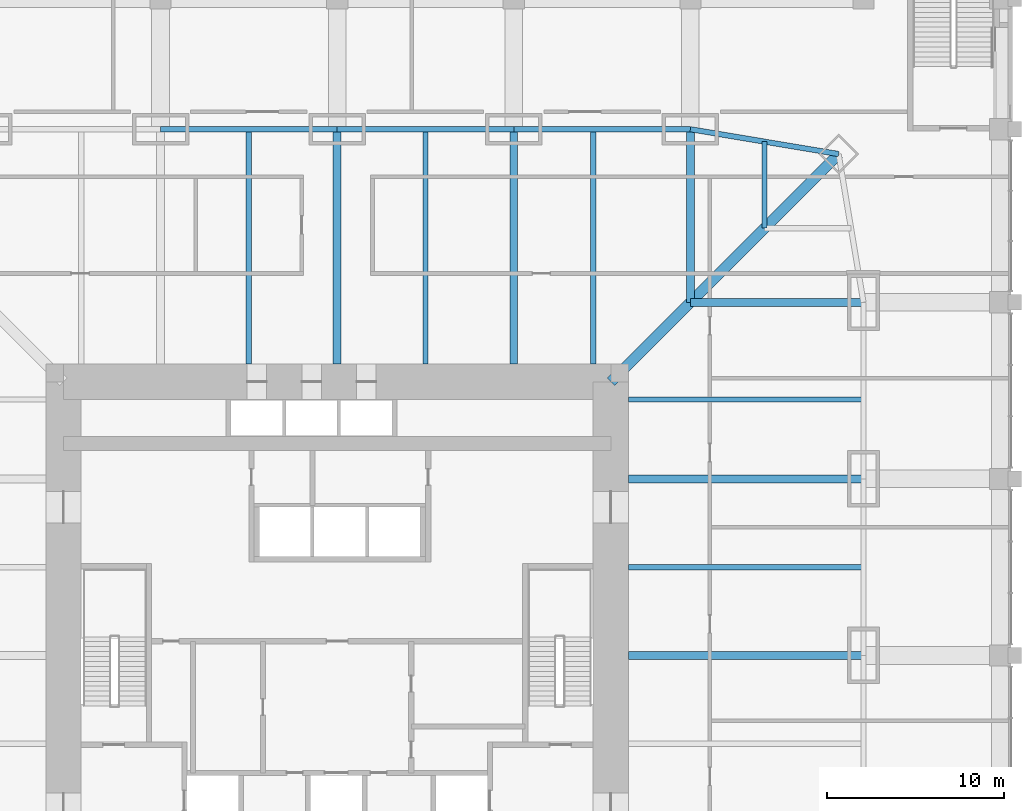
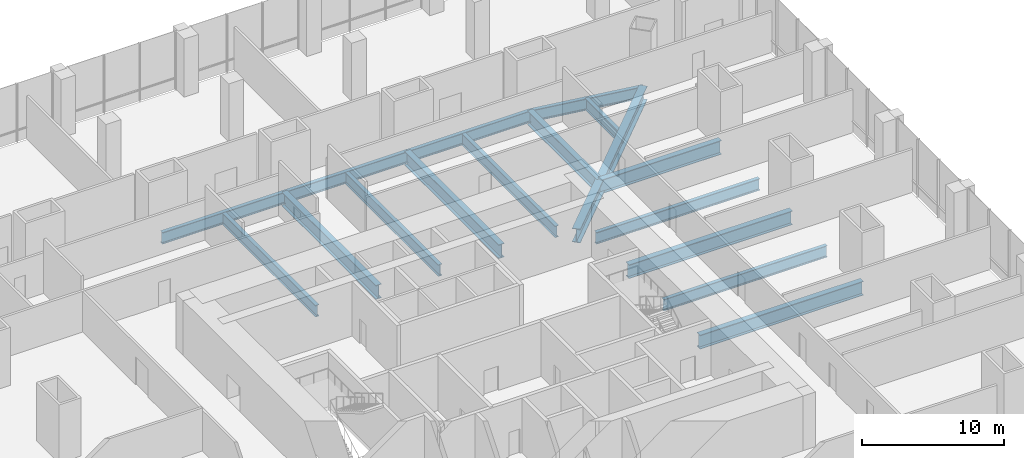
# One storey, part 7 of 24: 17 beams.
"""IFC4 building model written with IfcOpenShell, lengths in metres."""

from ifc_helpers import new_model, si_unit, direction, frame, origin, origin_2d, place, context, subcontext, project, spatial, i_section, extrude, material, material_profile, profile_set, type_object, element, save


model = new_model("IFC4")

# Units and contexts
model_context = context("Model", 3, precision=1e-05, world=origin(), true_north=direction((0.0, 1.0)))
body_context = subcontext(model_context, "Body", "Model", "MODEL_VIEW")
ifc_project = project(units=[si_unit("LENGTHUNIT", "METRE"), si_unit("AREAUNIT", "SQUARE_METRE"), si_unit("VOLUMEUNIT", "CUBIC_METRE"), si_unit("PLANEANGLEUNIT", "RADIAN"), si_unit("MASSUNIT", "GRAM", prefix="KILO")], contexts=[model_context])

# Site, building, storey
site_placement = place(None, origin())
site = spatial("IfcSite", under=ifc_project, at=site_placement, CompositionType="ELEMENT")
building_placement = place(site_placement, origin())
building = spatial("IfcBuilding", under=site, at=building_placement, Name="Khuree Lantern Residences", CompositionType="ELEMENT")
storey_placement = place(building_placement, frame((0.0, 0.0, 6.0)))
storey = spatial("IfcBuildingStorey", under=building, at=storey_placement, Name="L01", CompositionType="ELEMENT", Elevation=6.0)

# Beams
ifc_material = material(Name="Steel S355", Category="steel")
ifc_material_profile_1 = material_profile(ifc_material, i_section(OverallWidth=0.300048828125, OverallDepth=1.0, WebThickness=0.01904296875, FlangeThickness=0.035888671875, FilletRadius=0.030029296875, at=origin_2d()), Name="HE 1000 B")
ifc_profile_set_1 = profile_set([ifc_material_profile_1], Name="Steel S355")
beam_type_1 = type_object("IfcBeamType", Name="B-01 SECONDARY BEAM HE 1000 B", PredefinedType="BEAM", material=ifc_profile_set_1)
for number, where, z_axis, x_axis, name in (
    (1, (-5.0, 29.800048828125, -0.800048828125), (0.0, -1.0, 0.0), (1.0, 0.0, 0.0), "Secondary beam N2"),
    (2, (5.0, 29.800048828125, -0.800048828125), (0.0, -1.0, 0.0), (1.0, 0.0, 0.0), "Secondary beam N3"),
    (3, (14.5, 29.800048828125, -0.800048828125), (0.0, -1.0, 0.0), (1.0, 0.0, 0.0), "Secondary beam N4"),
):
    element("IfcBeam", number, at=place(storey_placement, frame(where, z_axis=z_axis, x_axis=x_axis)), inside=storey, type_object=beam_type_1, Name=name, PredefinedType="BEAM", context=body_context, shape_type="SweptSolid", body=[
        extrude(i_section(OverallWidth=0.300048828125, OverallDepth=1.0, WebThickness=0.01904296875, FlangeThickness=0.035888671875, FilletRadius=0.030029296875, at=origin_2d()), origin(), (0.0, 0.0, 1.0), 13.300048828125),
    ])
beam_1_placement = place(storey_placement, frame((24.197021484375, 29.09716796875, -0.800048828125), z_axis=(0.0, -1.0, 0.0), x_axis=(1.0, 0.0, 0.0)))
element("IfcBeam", 4, at=beam_1_placement, inside=storey, type_object=beam_type_1, Name="Secondary beam N5", PredefinedType="BEAM", context=body_context, shape_type="SweptSolid", body=[
    extrude(i_section(OverallWidth=0.300048828125, OverallDepth=1.0, WebThickness=0.01904296875, FlangeThickness=0.035888671875, FilletRadius=0.030029296875, at=origin_2d()), origin(), (0.0, 0.0, 1.0), 4.900146484375),
])
for number, where, z_axis, x_axis, name in (
    (5, (29.800048828125, 14.5, -0.800048828125), (-1.0, 0.0, 0.0), (0.0, -1.0, 0.0), "Secondary beam E2"),
    (6, (29.800048828125, 5.0, -0.800048828125), (-1.0, 0.0, 0.0), (0.0, -1.0, 0.0), "Secondary beam E3"),
):
    element("IfcBeam", number, at=place(storey_placement, frame(where, z_axis=z_axis, x_axis=x_axis)), inside=storey, type_object=beam_type_1, Name=name, PredefinedType="BEAM", context=body_context, shape_type="SweptSolid", body=[
        extrude(i_section(OverallWidth=0.300048828125, OverallDepth=1.0, WebThickness=0.01904296875, FlangeThickness=0.035888671875, FilletRadius=0.030029296875, at=origin_2d()), origin(), (0.0, 0.0, 1.0), 13.300048828125),
    ])
ifc_material_profile_2 = material_profile(ifc_material, i_section(OverallWidth=0.300048828125, OverallDepth=1.0, WebThickness=0.01904296875, FlangeThickness=0.035888671875, FilletRadius=0.030029296875, at=origin_2d()), Name="HE 1000 B")
ifc_profile_set_2 = profile_set([ifc_material_profile_2], Name="Steel S355")
beam_type_2 = type_object("IfcBeamType", Name="E-01 SPANDREL BEAM HE 1000 B", PredefinedType="SPANDREL", material=ifc_profile_set_2)
for number, where, z_axis, x_axis, name in (
    (7, (-10.0, 29.800048828125, -0.800048828125), (1.0, 0.0, 0.0), (0.0, 1.0, 0.0), "Spandrel beam N2"),
    (8, (0.0, 29.800048828125, -0.800048828125), (1.0, 0.0, 0.0), (0.0, 1.0, 0.0), "Spandrel beam N3"),
    (9, (10.0, 29.800048828125, -0.800048828125), (1.0, 0.0, 0.0), (0.0, 1.0, 0.0), "Spandrel beam N4"),
):
    element("IfcBeam", number, at=place(storey_placement, frame(where, z_axis=z_axis, x_axis=x_axis)), inside=storey, type_object=beam_type_2, Name=name, PredefinedType="SPANDREL", context=body_context, shape_type="SweptSolid", body=[
        extrude(i_section(OverallWidth=0.300048828125, OverallDepth=1.0, WebThickness=0.01904296875, FlangeThickness=0.035888671875, FilletRadius=0.030029296875, at=origin_2d()), origin(), (0.0, 0.0, 1.0), 10.0),
    ])
beam_2_placement = place(storey_placement, frame((20.0, 29.800048828125, -0.800048828125), z_axis=(0.986260251158, -0.165199022349, 0.0), x_axis=(0.165199022349, 0.986260251158, 0.0)))
element("IfcBeam", 10, at=beam_2_placement, inside=storey, type_object=beam_type_2, Name="Spandrel beam N5", PredefinedType="SPANDREL", context=body_context, shape_type="SweptSolid", body=[
    extrude(i_section(OverallWidth=0.300048828125, OverallDepth=1.0, WebThickness=0.01904296875, FlangeThickness=0.035888671875, FilletRadius=0.030029296875, at=origin_2d()), origin(), (0.0, 0.0, 1.0), 8.510986328125),
])
ifc_material_profile_3 = material_profile(ifc_material, i_section(OverallWidth=0.449951171875, OverallDepth=1.199951171875, WebThickness=0.02490234375, FlangeThickness=0.044921875, at=origin_2d()), Name="WELDED I 1200X450X25X45")
ifc_profile_set_3 = profile_set([ifc_material_profile_3], Name="Steel S355")
beam_type_3 = type_object("IfcBeamType", Name="G-01 GIRDER WELDED I 1200X450X25X45", PredefinedType="BEAM", material=ifc_profile_set_3)
for number, where, z_axis, x_axis, name in (
    (11, (0.0, 29.800048828125, -0.89990234375), (0.0, -1.0, 0.0), (1.0, 0.0, 0.0), "Girder N3"),
    (12, (10.0, 29.800048828125, -0.89990234375), (0.0, -1.0, 0.0), (1.0, 0.0, 0.0), "Girder N4"),
):
    element("IfcBeam", number, at=place(storey_placement, frame(where, z_axis=z_axis, x_axis=x_axis)), inside=storey, type_object=beam_type_3, Name=name, PredefinedType="BEAM", context=body_context, shape_type="SweptSolid", body=[
        extrude(i_section(OverallWidth=0.449951171875, OverallDepth=1.199951171875, WebThickness=0.02490234375, FlangeThickness=0.044921875, at=origin_2d()), origin(), (0.0, 0.0, 1.0), 13.300048828125),
    ])
for number, where, z_axis, x_axis, name in (
    (13, (20.0, 29.800048828125, -0.89990234375), (0.0, -1.0, 0.0), (1.0, 0.0, 0.0), "Girder N5"),
    (14, (29.800048828125, 20.0, -0.89990234375), (-1.0, 0.0, 0.0), (0.0, -1.0, 0.0), "Girder E1"),
):
    element("IfcBeam", number, at=place(storey_placement, frame(where, z_axis=z_axis, x_axis=x_axis)), inside=storey, type_object=beam_type_3, Name=name, PredefinedType="BEAM", context=body_context, shape_type="SweptSolid", body=[
        extrude(i_section(OverallWidth=0.449951171875, OverallDepth=1.199951171875, WebThickness=0.02490234375, FlangeThickness=0.044921875, at=origin_2d()), origin(), (0.0, 0.0, 1.0), 9.800048828125),
    ])
for number, where, z_axis, x_axis, name in (
    (15, (29.800048828125, 10.0, -0.89990234375), (-1.0, 0.0, 0.0), (0.0, -1.0, 0.0), "Girder E2"),
    (16, (29.800048828125, 0.0, -0.89990234375), (-1.0, 0.0, 0.0), (0.0, -1.0, 0.0), "Girder E3"),
):
    element("IfcBeam", number, at=place(storey_placement, frame(where, z_axis=z_axis, x_axis=x_axis)), inside=storey, type_object=beam_type_3, Name=name, PredefinedType="BEAM", context=body_context, shape_type="SweptSolid", body=[
        extrude(i_section(OverallWidth=0.449951171875, OverallDepth=1.199951171875, WebThickness=0.02490234375, FlangeThickness=0.044921875, at=origin_2d()), origin(), (0.0, 0.0, 1.0), 13.300048828125),
    ])
ifc_material_profile_4 = material_profile(ifc_material, i_section(OverallWidth=0.60009765625, OverallDepth=1.199951171875, WebThickness=0.030029296875, FlangeThickness=0.06005859375, at=origin_2d()), Name="WELDED I 1200X600X30X60")
ifc_profile_set_4 = profile_set([ifc_material_profile_4], Name="Steel S355")
beam_type_4 = type_object("IfcBeamType", Name="GD-01 CORNER GIRDER WELDED I 1200X600X30X60", PredefinedType="BEAM", material=ifc_profile_set_4)
beam_3_placement = place(storey_placement, frame((28.39404296875, 28.39404296875, -0.89990234375), z_axis=(-0.707106781187, -0.707106781187, 0.0), x_axis=(0.707106781187, -0.707106781187, 0.0)))
element("IfcBeam", 17, at=beam_3_placement, inside=storey, type_object=beam_type_4, Name="Corner girder NE", PredefinedType="BEAM", context=body_context, shape_type="SweptSolid", body=[
    extrude(i_section(OverallWidth=0.60009765625, OverallDepth=1.199951171875, WebThickness=0.030029296875, FlangeThickness=0.06005859375, at=origin_2d()), origin(), (0.0, 0.0, 1.0), 18.23486328125),
])

save(model, "model.ifc")
